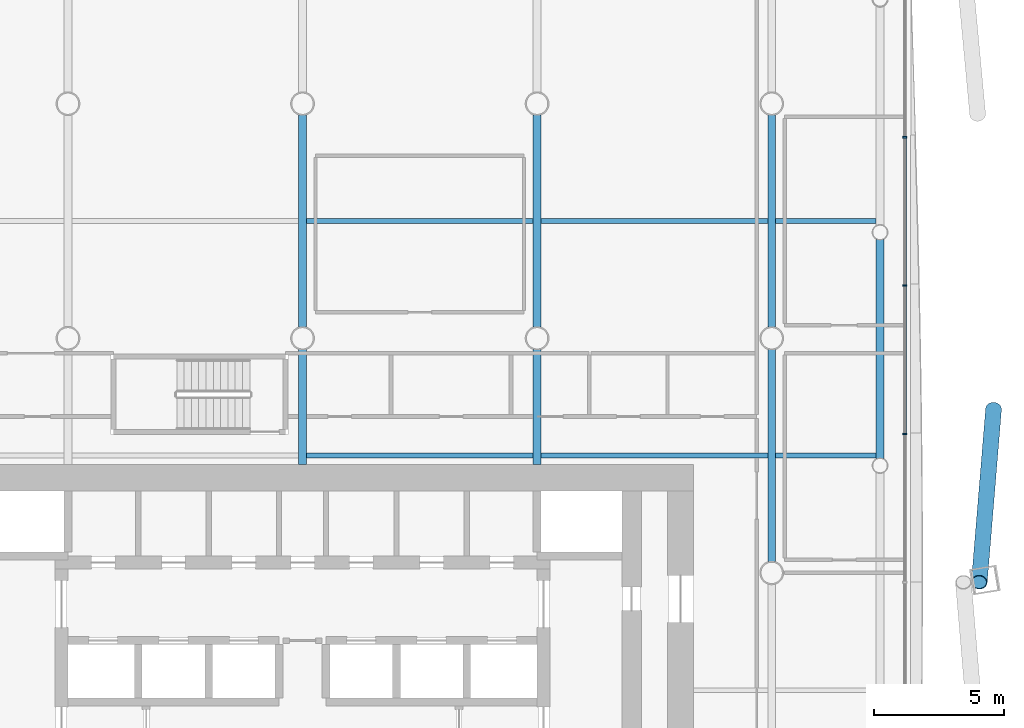
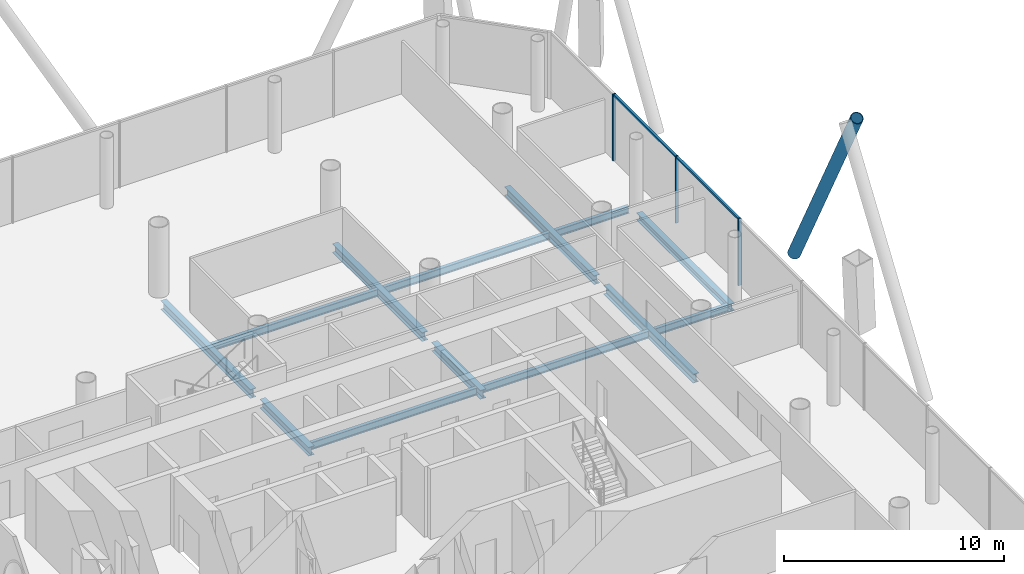
# One storey, part 10 of 21: 13 beams, 6 members, 1 element without a shape of its own.
"""IFC4 building model written with IfcOpenShell, lengths in metres."""

from ifc_helpers import new_model, si_unit, direction, frame, origin, origin_2d, place, context, subcontext, project, spatial, rectangle, hollow_circle, i_section, extrude, material, material_profile, profile_set, type_object, element, aggregate, save


model = new_model("IFC4")

# Units and contexts
model_context = context("Model", 3, precision=1e-05, world=origin(), true_north=direction((0.0, 1.0)))
body_context = subcontext(model_context, "Body", "Model", "MODEL_VIEW")
ifc_project = project(units=[si_unit("LENGTHUNIT", "METRE"), si_unit("AREAUNIT", "SQUARE_METRE"), si_unit("VOLUMEUNIT", "CUBIC_METRE"), si_unit("PLANEANGLEUNIT", "RADIAN"), si_unit("MASSUNIT", "GRAM", prefix="KILO")], contexts=[model_context])

# Site, building, storey
site_placement = place(None, origin())
site = spatial("IfcSite", under=ifc_project, at=site_placement, CompositionType="ELEMENT")
building_placement = place(site_placement, origin())
building = spatial("IfcBuilding", under=site, at=building_placement, Name="Tskaro Facet Tower", CompositionType="ELEMENT")
storey_placement = place(building_placement, frame((0.0, 0.0, 45.89990234375)))
storey = spatial("IfcBuildingStorey", under=building, at=storey_placement, Name="L10", CompositionType="ELEMENT", Elevation=45.89990234375)

# Member
ifc_material_1 = material(Name="Steel S355J2H", Category="steel")
ifc_material_profile_1 = material_profile(ifc_material_1, hollow_circle(Radius=0.304931640625, WallThickness=0.030029296875, at=origin_2d()), Name="CHS 610x30")
ifc_profile_set_1 = profile_set([ifc_material_profile_1], Name="Steel S355J2H")
member_type_1 = type_object("IfcMemberType", Name="CHS 610x30 brace", PredefinedType="BRACE", material=ifc_profile_set_1)
member_1_placement = place(storey_placement, frame((26.51171875, 6.27685546875, 0.0), z_axis=(-0.040679235475, -0.492866207432, 0.869153669597), x_axis=(0.996611203377, -0.082256363305, 0.0)))
element("IfcMember", 1, at=member_1_placement, inside=storey, type_object=member_type_1, Name="CHS 610x30 XB05B/1", PredefinedType="BRACE", context=body_context, shape_type="SweptSolid", body=[
    extrude(hollow_circle(Radius=0.304931640625, WallThickness=0.030029296875, at=origin_2d()), origin(), (0.0, 0.0, 1.0), 13.461669921875),
])

# Curtain wall, members
ifc_material_2 = material(Name="Bronze anodised aluminium 6063-T6", Category="aluminium")
curtain_wall_type = type_object("IfcCurtainWallType", Name="Bronze office curtain wall (FW1)", PredefinedType="NOTDEFINED", material=ifc_material_2)
curtain_wall_placement = place(storey_placement, origin())
curtain_wall = element("IfcCurtainWall", 2, at=curtain_wall_placement, inside=storey, type_object=curtain_wall_type, Name="FW1 east facet L10", PredefinedType="NOTDEFINED")
ifc_material_profile_2 = material_profile(ifc_material_2, rectangle(XDim=0.06005859375, YDim=0.159912109375, at=origin_2d()), Name="Mullion 60x160")
ifc_profile_set_2 = profile_set([ifc_material_profile_2], Name="Bronze anodised aluminium 6063-T6")
member_type_2 = type_object("IfcMemberType", Name="FW1 bronze mullion 60x160", PredefinedType="MULLION", material=ifc_profile_set_2)
member_2_placement = place(storey_placement, frame((23.10693359375, 5.332275390625, 0.0), z_axis=(0.0, 0.0, 1.0), x_axis=(0.0, 1.0, 0.0)))
member_2 = element("IfcMember", 3, at=member_2_placement, type_object=member_type_2, Name="FW1 east mullion 5", PredefinedType="MULLION", context=body_context, shape_type="SweptSolid", body=[
    extrude(rectangle(XDim=0.06005859375, YDim=0.159912109375, at=origin_2d()), origin(), (0.0, 0.0, 1.0), 3.7001953125),
])
member_3_placement = place(storey_placement, frame((23.10693359375, 11.023193359375, 0.0), z_axis=(0.0, 0.0, 1.0), x_axis=(0.0, 1.0, 0.0)))
member_3 = element("IfcMember", 4, at=member_3_placement, type_object=member_type_2, Name="FW1 east mullion 6", PredefinedType="MULLION", context=body_context, shape_type="SweptSolid", body=[
    extrude(rectangle(XDim=0.06005859375, YDim=0.159912109375, at=origin_2d()), origin(), (0.0, 0.0, 1.0), 3.7001953125),
])
member_4_placement = place(storey_placement, frame((23.10693359375, 16.714111328125, 0.0), z_axis=(0.0, 0.0, 1.0), x_axis=(0.0, 1.0, 0.0)))
member_4 = element("IfcMember", 5, at=member_4_placement, type_object=member_type_2, Name="FW1 east mullion 7", PredefinedType="MULLION", context=body_context, shape_type="SweptSolid", body=[
    extrude(rectangle(XDim=0.06005859375, YDim=0.159912109375, at=origin_2d()), origin(), (0.0, 0.0, 1.0), 3.7001953125),
])
ifc_material_profile_3 = material_profile(ifc_material_2, rectangle(XDim=0.1201171875, YDim=0.10009765625, at=origin_2d()), Name="Transom 120x100")
ifc_profile_set_3 = profile_set([ifc_material_profile_3], Name="Bronze anodised aluminium 6063-T6")
member_type_3 = type_object("IfcMemberType", Name="FW1 bronze transom 120x100", PredefinedType="USERDEFINED", material=ifc_profile_set_3)
member_5_placement = place(storey_placement, frame((23.10693359375, 5.3623046875, 3.650146484375), z_axis=(0.0, 1.0, 0.0), x_axis=(-1.0, 0.0, 0.0)))
member_5 = element("IfcMember", 6, at=member_5_placement, type_object=member_type_3, Name="FW1 east transom 6.1", ObjectType="TRANSOM", PredefinedType="USERDEFINED", context=body_context, shape_type="SweptSolid", body=[
    extrude(rectangle(XDim=0.1201171875, YDim=0.10009765625, at=origin_2d()), origin(), (0.0, 0.0, 1.0), 5.630859375),
])
member_6_placement = place(storey_placement, frame((23.10693359375, 11.05322265625, 3.650146484375), z_axis=(0.0, 1.0, 0.0), x_axis=(-1.0, 0.0, 0.0)))
member_6 = element("IfcMember", 7, at=member_6_placement, type_object=member_type_3, Name="FW1 east transom 7.1", ObjectType="TRANSOM", PredefinedType="USERDEFINED", context=body_context, shape_type="SweptSolid", body=[
    extrude(rectangle(XDim=0.1201171875, YDim=0.10009765625, at=origin_2d()), origin(), (0.0, 0.0, 1.0), 5.630859375),
])
aggregate(curtain_wall, [member_2, member_3, member_4, member_5, member_6])

# Beams
ifc_material_3 = material(Name="Steel S355J2", Category="steel")
ifc_material_profile_4 = material_profile(ifc_material_3, i_section(OverallWidth=0.300048828125, OverallDepth=0.39990234375, WebThickness=0.013427734375, FlangeThickness=0.02392578125, FilletRadius=0.027099609375, at=origin_2d()), Name="HE 400 B")
ifc_profile_set_4 = profile_set([ifc_material_profile_4], Name="Steel S355J2")
beam_type_1 = type_object("IfcBeamType", Name="HE 400 B ring beam", PredefinedType="BEAM", material=ifc_profile_set_4)
beam_1_placement = place(storey_placement, frame((22.156982421875, 4.39111328125, -0.33984375), z_axis=(0.0, 1.0, 0.0), x_axis=(-1.0, 0.0, 0.0)))
element("IfcBeam", 8, at=beam_1_placement, inside=storey, type_object=beam_type_1, Name="HE 400 B EB11-1", PredefinedType="BEAM", context=body_context, shape_type="SweptSolid", body=[
    extrude(i_section(OverallWidth=0.300048828125, OverallDepth=0.39990234375, WebThickness=0.013427734375, FlangeThickness=0.02392578125, FilletRadius=0.027099609375, at=origin_2d()), origin(), (0.0, 0.0, 1.0), 8.39794921875),
])
ifc_material_profile_5 = material_profile(ifc_material_3, i_section(OverallWidth=0.300048828125, OverallDepth=0.489990234375, WebThickness=0.011962890625, FlangeThickness=0.02294921875, FilletRadius=0.027099609375, at=origin_2d()), Name="HE 500 A")
ifc_profile_set_5 = profile_set([ifc_material_profile_5], Name="Steel S355J2")
beam_type_2 = type_object("IfcBeamType", Name="HE 500 A girder", PredefinedType="BEAM", material=ifc_profile_set_5)
beam_2_placement = place(storey_placement, frame((0.0, 4.14990234375, -0.385009765625), z_axis=(0.0, 1.0, 0.0), x_axis=(-1.0, 0.0, 0.0)))
element("IfcBeam", 9, at=beam_2_placement, inside=storey, type_object=beam_type_2, Name="HE 500 A GB4-3-1", PredefinedType="BEAM", context=body_context, shape_type="SweptSolid", body=[
    extrude(i_section(OverallWidth=0.300048828125, OverallDepth=0.489990234375, WebThickness=0.011962890625, FlangeThickness=0.02294921875, FilletRadius=0.027099609375, at=origin_2d()), origin(), (0.0, 0.0, 1.0), 4.4228515625),
])
beam_3_placement = place(storey_placement, frame((0.0, 9.42724609375, -0.385009765625), z_axis=(0.0, 1.0, 0.0), x_axis=(-1.0, 0.0, 0.0)))
element("IfcBeam", 10, at=beam_3_placement, inside=storey, type_object=beam_type_2, Name="HE 500 A GB4-4-1", PredefinedType="BEAM", context=body_context, shape_type="SweptSolid", body=[
    extrude(i_section(OverallWidth=0.300048828125, OverallDepth=0.489990234375, WebThickness=0.011962890625, FlangeThickness=0.02294921875, FilletRadius=0.027099609375, at=origin_2d()), origin(), (0.0, 0.0, 1.0), 8.1455078125),
])
beam_4_placement = place(storey_placement, frame((9.0, 4.14990234375, -0.385009765625), z_axis=(0.0, 1.0, 0.0), x_axis=(-1.0, 0.0, 0.0)))
element("IfcBeam", 11, at=beam_4_placement, inside=storey, type_object=beam_type_2, Name="HE 500 A GB5-3-1", PredefinedType="BEAM", context=body_context, shape_type="SweptSolid", body=[
    extrude(i_section(OverallWidth=0.300048828125, OverallDepth=0.489990234375, WebThickness=0.011962890625, FlangeThickness=0.02294921875, FilletRadius=0.027099609375, at=origin_2d()), origin(), (0.0, 0.0, 1.0), 4.4228515625),
])
for number, where, z_axis, x_axis, name in (
    (12, (9.0, 9.42724609375, -0.385009765625), (0.0, 1.0, 0.0), (-1.0, 0.0, 0.0), "HE 500 A GB5-4-1"),
    (13, (18.0, 0.42724609375, -0.385009765625), (0.0, 1.0, 0.0), (-1.0, 0.0, 0.0), "HE 500 A GB6-4-1"),
    (14, (18.0, 9.42724609375, -0.385009765625), (0.0, 1.0, 0.0), (-1.0, 0.0, 0.0), "HE 500 A GB6-5-1"),
):
    element("IfcBeam", number, at=place(storey_placement, frame(where, z_axis=z_axis, x_axis=x_axis)), inside=storey, type_object=beam_type_2, Name=name, PredefinedType="BEAM", context=body_context, shape_type="SweptSolid", body=[
        extrude(i_section(OverallWidth=0.300048828125, OverallDepth=0.489990234375, WebThickness=0.011962890625, FlangeThickness=0.02294921875, FilletRadius=0.027099609375, at=origin_2d()), origin(), (0.0, 0.0, 1.0), 8.1455078125),
    ])
ifc_material_profile_6 = material_profile(ifc_material_3, i_section(OverallWidth=0.179931640625, OverallDepth=0.39990234375, WebThickness=0.008544921875, FlangeThickness=0.013427734375, FilletRadius=0.02099609375, at=origin_2d()), Name="IPE 400")
ifc_profile_set_6 = profile_set([ifc_material_profile_6], Name="Steel S355J2")
beam_type_3 = type_object("IfcBeamType", Name="IPE 400 secondary beam", PredefinedType="BEAM", material=ifc_profile_set_6)
for number, where, z_axis, x_axis, name in (
    (15, (0.14990234375, 4.5, -0.33984375), (1.0, 0.0, 0.0), (0.0, 1.0, 0.0), "IPE 400 SB4a-4-1"),
    (16, (9.14990234375, 4.5, -0.33984375), (1.0, 0.0, 0.0), (0.0, 1.0, 0.0), "IPE 400 SB4a-5-1"),
):
    element("IfcBeam", number, at=place(storey_placement, frame(where, z_axis=z_axis, x_axis=x_axis)), inside=storey, type_object=beam_type_3, Name=name, PredefinedType="BEAM", context=body_context, shape_type="SweptSolid", body=[
        extrude(i_section(OverallWidth=0.179931640625, OverallDepth=0.39990234375, WebThickness=0.008544921875, FlangeThickness=0.013427734375, FilletRadius=0.02099609375, at=origin_2d()), origin(), (0.0, 0.0, 1.0), 8.7001953125),
    ])
beam_5_placement = place(storey_placement, frame((18.14990234375, 4.5, -0.33984375), z_axis=(1.0, 0.0, 0.0), x_axis=(0.0, 1.0, 0.0)))
element("IfcBeam", 17, at=beam_5_placement, inside=storey, type_object=beam_type_3, Name="IPE 400 SB4a-6-1", PredefinedType="BEAM", context=body_context, shape_type="SweptSolid", body=[
    extrude(i_section(OverallWidth=0.179931640625, OverallDepth=0.39990234375, WebThickness=0.008544921875, FlangeThickness=0.013427734375, FilletRadius=0.02099609375, at=origin_2d()), origin(), (0.0, 0.0, 1.0), 3.857177734375),
])
for number, where, z_axis, x_axis, name in (
    (18, (0.14990234375, 13.5, -0.33984375), (1.0, 0.0, 0.0), (0.0, 1.0, 0.0), "IPE 400 SB5a-4-1"),
    (19, (9.14990234375, 13.5, -0.33984375), (1.0, 0.0, 0.0), (0.0, 1.0, 0.0), "IPE 400 SB5a-5-1"),
):
    element("IfcBeam", number, at=place(storey_placement, frame(where, z_axis=z_axis, x_axis=x_axis)), inside=storey, type_object=beam_type_3, Name=name, PredefinedType="BEAM", context=body_context, shape_type="SweptSolid", body=[
        extrude(i_section(OverallWidth=0.179931640625, OverallDepth=0.39990234375, WebThickness=0.008544921875, FlangeThickness=0.013427734375, FilletRadius=0.02099609375, at=origin_2d()), origin(), (0.0, 0.0, 1.0), 8.7001953125),
    ])
beam_6_placement = place(storey_placement, frame((18.14990234375, 13.5, -0.33984375), z_axis=(1.0, 0.0, 0.0), x_axis=(0.0, 1.0, 0.0)))
element("IfcBeam", 20, at=beam_6_placement, inside=storey, type_object=beam_type_3, Name="IPE 400 SB5a-6-1", PredefinedType="BEAM", context=body_context, shape_type="SweptSolid", body=[
    extrude(i_section(OverallWidth=0.179931640625, OverallDepth=0.39990234375, WebThickness=0.008544921875, FlangeThickness=0.013427734375, FilletRadius=0.02099609375, at=origin_2d()), origin(), (0.0, 0.0, 1.0), 3.857177734375),
])

save(model, "model.ifc")
